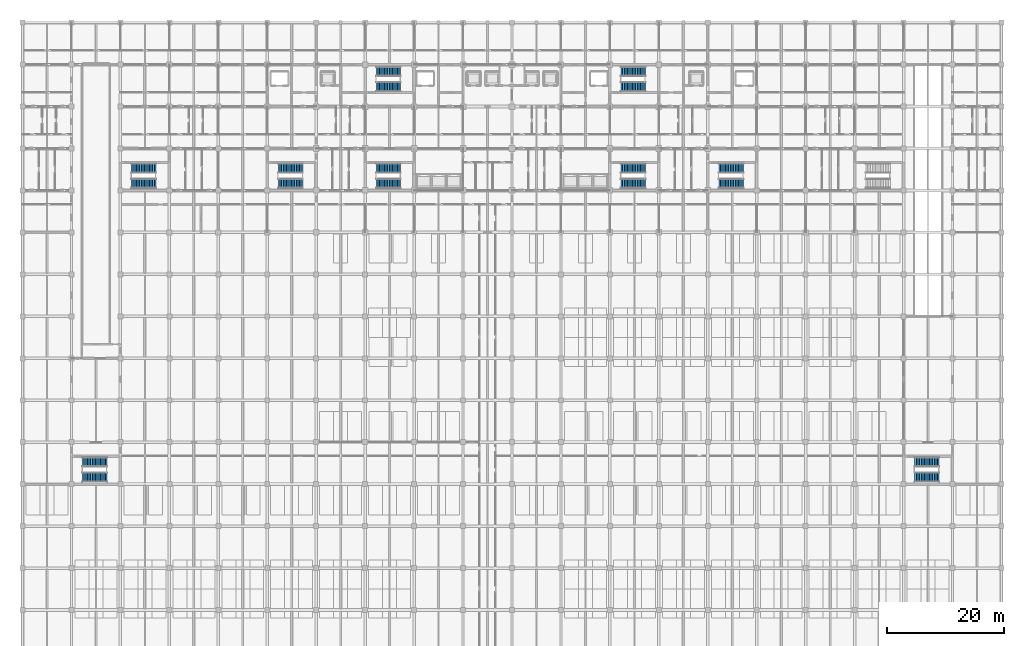
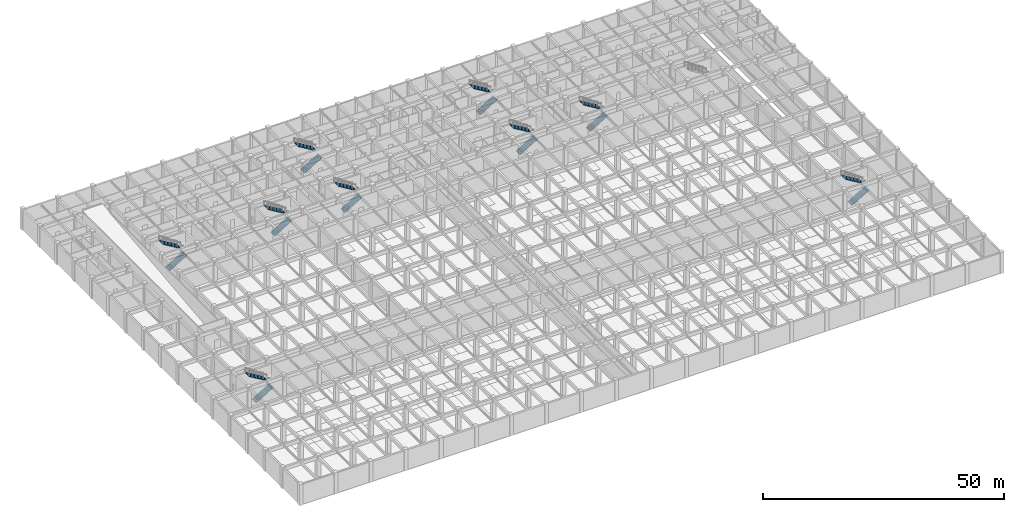
# One storey, part 39 of 48: 18 stair flights, 9 elements without a shape of their own.
"""IFC4 building model written with IfcOpenShell, lengths in metres."""

from ifc_helpers import new_model, si_unit, direction, frame, origin, place, context, subcontext, project, spatial, polyline, outline, extrude, material, type_object, element, aggregate, save


model = new_model("IFC4")

# Units and contexts
model_context = context("Model", 3, precision=1e-05, world=origin(), true_north=direction((0.0, 1.0)))
body_context = subcontext(model_context, "Body", "Model", "MODEL_VIEW")
ifc_project = project(units=[si_unit("LENGTHUNIT", "METRE"), si_unit("AREAUNIT", "SQUARE_METRE"), si_unit("VOLUMEUNIT", "CUBIC_METRE"), si_unit("PLANEANGLEUNIT", "RADIAN"), si_unit("MASSUNIT", "GRAM", prefix="KILO")], contexts=[model_context])

# Site, building, storey
site_placement = place(None, origin())
site = spatial("IfcSite", under=ifc_project, at=site_placement, CompositionType="ELEMENT")
building_placement = place(site_placement, origin())
building = spatial("IfcBuilding", under=site, at=building_placement, Name="Chengyuan Square Courthouse", CompositionType="ELEMENT")
storey_placement = place(building_placement, frame((0.0, 0.0, -5.39990234375)))
storey = spatial("IfcBuildingStorey", under=building, at=storey_placement, Name="B01", CompositionType="ELEMENT", Elevation=-5.39990234375)

# Stair, stair flights
ifc_material = material(Name="Concrete C40", Category="concrete")
stair_type_1 = type_object("IfcStairType", Name="ST-TYPE-01", PredefinedType="HALF_TURN_STAIR", material=ifc_material)
stair_1_placement = place(storey_placement, origin())
stair_1 = element("IfcStair", 1, at=stair_1_placement, inside=storey, type_object=stair_type_1, Name="Smoke-Proof Exit Stair ST-1 (B01 to L01)", PredefinedType="HALF_TURN_STAIR")
stair_flight_type_1 = type_object("IfcStairFlightType", Name="STF-TYPE-01", PredefinedType="STRAIGHT", material=ifc_material)
stair_flight_1_placement = place(storey_placement, frame((60.7099609375, 104.175048828125, 0.0), z_axis=(0.0, 0.0, 1.0), x_axis=(1.0, 0.0, 0.0)))
stair_flight_1 = element("IfcStairFlight", 2, at=stair_flight_1_placement, type_object=stair_flight_type_1, Name="ST-1 flight 1", NumberOfRisers=16, NumberOfTreads=15, PredefinedType="STRAIGHT", RiserHeight=0.16875, TreadLength=0.28, context=body_context, shape_type="SweptSolid", body=[
    extrude(outline(polyline([(0.0, 0.0), (0.0, 0.168701171875), (0.280029296875, 0.168701171875), (0.280029296875, 0.33740234375), (0.56005859375, 0.33740234375), (0.56005859375, 0.50634765625), (0.840087890625, 0.50634765625), (0.840087890625, 0.675048828125), (1.1201171875, 0.675048828125), (1.1201171875, 0.84375), (1.39990234375, 0.84375), (1.39990234375, 1.012451171875), (1.679931640625, 1.012451171875), (1.679931640625, 1.18115234375), (1.9599609375, 1.18115234375), (1.9599609375, 1.35009765625), (2.239990234375, 1.35009765625), (2.239990234375, 1.518798828125), (2.52001953125, 1.518798828125), (2.52001953125, 1.6875), (2.800048828125, 1.6875), (2.800048828125, 1.856201171875), (3.080078125, 1.856201171875), (3.080078125, 2.02490234375), (3.360107421875, 2.02490234375), (3.360107421875, 2.19384765625), (3.639892578125, 2.19384765625), (3.639892578125, 2.362548828125), (3.919921875, 2.362548828125), (3.919921875, 2.53125), (4.199951171875, 2.53125), (4.199951171875, 2.699951171875), (4.199951171875, 2.356201171875), (0.29052734375, 0.0), (0.0, 0.0)])), frame((0.0, 0.824951171875, 0.0), z_axis=(0.0, -1.0, 0.0), x_axis=(1.0, 0.0, 0.0)), (0.0, 0.0, 1.0), 1.64990234375),
])
stair_flight_2_placement = place(storey_placement, frame((64.909912109375, 106.824951171875, 2.699951171875), z_axis=(0.0, 0.0, 1.0), x_axis=(-1.0, 0.0, 0.0)))
stair_flight_2 = element("IfcStairFlight", 3, at=stair_flight_2_placement, type_object=stair_flight_type_1, Name="ST-1 flight 2", NumberOfRisers=16, NumberOfTreads=15, PredefinedType="STRAIGHT", RiserHeight=0.16875, TreadLength=0.28, context=body_context, shape_type="SweptSolid", body=[
    extrude(outline(polyline([(0.0, 0.0), (0.0, 0.168701171875), (0.280029296875, 0.168701171875), (0.280029296875, 0.33740234375), (0.56005859375, 0.33740234375), (0.56005859375, 0.50634765625), (0.840087890625, 0.50634765625), (0.840087890625, 0.675048828125), (1.1201171875, 0.675048828125), (1.1201171875, 0.84375), (1.39990234375, 0.84375), (1.39990234375, 1.012451171875), (1.679931640625, 1.012451171875), (1.679931640625, 1.18115234375), (1.9599609375, 1.18115234375), (1.9599609375, 1.35009765625), (2.239990234375, 1.35009765625), (2.239990234375, 1.518798828125), (2.52001953125, 1.518798828125), (2.52001953125, 1.6875), (2.800048828125, 1.6875), (2.800048828125, 1.856201171875), (3.080078125, 1.856201171875), (3.080078125, 2.02490234375), (3.360107421875, 2.02490234375), (3.360107421875, 2.19384765625), (3.639892578125, 2.19384765625), (3.639892578125, 2.362548828125), (3.919921875, 2.362548828125), (3.919921875, 2.53125), (4.199951171875, 2.53125), (4.199951171875, 2.699951171875), (4.199951171875, 2.356201171875), (0.29052734375, 0.0), (0.0, 0.0)])), frame((0.0, 0.824951171875, 0.0), z_axis=(0.0, -1.0, 0.0), x_axis=(1.0, 0.0, 0.0)), (0.0, 0.0, 1.0), 1.64990234375),
])
aggregate(stair_1, [stair_flight_1, stair_flight_2])

stair_type_2 = type_object("IfcStairType", Name="ST-TYPE-02", PredefinedType="HALF_TURN_STAIR", material=ifc_material)
stair_2_placement = place(storey_placement, origin())
stair_2 = element("IfcStair", 4, at=stair_2_placement, inside=storey, type_object=stair_type_2, Name="Smoke-Proof Exit Stair ST-2 (B01 to L01)", PredefinedType="HALF_TURN_STAIR")
stair_flight_type_2 = type_object("IfcStairFlightType", Name="STF-TYPE-02", PredefinedType="STRAIGHT", material=ifc_material)
stair_flight_3_placement = place(storey_placement, frame((102.7099609375, 104.175048828125, 0.0), z_axis=(0.0, 0.0, 1.0), x_axis=(1.0, 0.0, 0.0)))
stair_flight_3 = element("IfcStairFlight", 5, at=stair_flight_3_placement, type_object=stair_flight_type_2, Name="ST-2 flight 1", NumberOfRisers=16, NumberOfTreads=15, PredefinedType="STRAIGHT", RiserHeight=0.16875, TreadLength=0.28, context=body_context, shape_type="SweptSolid", body=[
    extrude(outline(polyline([(0.0, 0.0), (0.0, 0.168701171875), (0.280029296875, 0.168701171875), (0.280029296875, 0.33740234375), (0.56005859375, 0.33740234375), (0.56005859375, 0.50634765625), (0.840087890625, 0.50634765625), (0.840087890625, 0.675048828125), (1.1201171875, 0.675048828125), (1.1201171875, 0.84375), (1.39990234375, 0.84375), (1.39990234375, 1.012451171875), (1.679931640625, 1.012451171875), (1.679931640625, 1.18115234375), (1.9599609375, 1.18115234375), (1.9599609375, 1.35009765625), (2.239990234375, 1.35009765625), (2.239990234375, 1.518798828125), (2.52001953125, 1.518798828125), (2.52001953125, 1.6875), (2.800048828125, 1.6875), (2.800048828125, 1.856201171875), (3.080078125, 1.856201171875), (3.080078125, 2.02490234375), (3.360107421875, 2.02490234375), (3.360107421875, 2.19384765625), (3.639892578125, 2.19384765625), (3.639892578125, 2.362548828125), (3.919921875, 2.362548828125), (3.919921875, 2.53125), (4.199951171875, 2.53125), (4.199951171875, 2.699951171875), (4.199951171875, 2.356201171875), (0.29052734375, 0.0), (0.0, 0.0)])), frame((0.0, 0.824951171875, 0.0), z_axis=(0.0, -1.0, 0.0), x_axis=(1.0, 0.0, 0.0)), (0.0, 0.0, 1.0), 1.64990234375),
])
stair_flight_4_placement = place(storey_placement, frame((106.909912109375, 106.824951171875, 2.699951171875), z_axis=(0.0, 0.0, 1.0), x_axis=(-1.0, 0.0, 0.0)))
stair_flight_4 = element("IfcStairFlight", 6, at=stair_flight_4_placement, type_object=stair_flight_type_2, Name="ST-2 flight 2", NumberOfRisers=16, NumberOfTreads=15, PredefinedType="STRAIGHT", RiserHeight=0.16875, TreadLength=0.28, context=body_context, shape_type="SweptSolid", body=[
    extrude(outline(polyline([(0.0, 0.0), (0.0, 0.168701171875), (0.280029296875, 0.168701171875), (0.280029296875, 0.33740234375), (0.56005859375, 0.33740234375), (0.56005859375, 0.50634765625), (0.840087890625, 0.50634765625), (0.840087890625, 0.675048828125), (1.1201171875, 0.675048828125), (1.1201171875, 0.84375), (1.39990234375, 0.84375), (1.39990234375, 1.012451171875), (1.679931640625, 1.012451171875), (1.679931640625, 1.18115234375), (1.9599609375, 1.18115234375), (1.9599609375, 1.35009765625), (2.239990234375, 1.35009765625), (2.239990234375, 1.518798828125), (2.52001953125, 1.518798828125), (2.52001953125, 1.6875), (2.800048828125, 1.6875), (2.800048828125, 1.856201171875), (3.080078125, 1.856201171875), (3.080078125, 2.02490234375), (3.360107421875, 2.02490234375), (3.360107421875, 2.19384765625), (3.639892578125, 2.19384765625), (3.639892578125, 2.362548828125), (3.919921875, 2.362548828125), (3.919921875, 2.53125), (4.199951171875, 2.53125), (4.199951171875, 2.699951171875), (4.199951171875, 2.356201171875), (0.29052734375, 0.0), (0.0, 0.0)])), frame((0.0, 0.824951171875, 0.0), z_axis=(0.0, -1.0, 0.0), x_axis=(1.0, 0.0, 0.0)), (0.0, 0.0, 1.0), 1.64990234375),
])
aggregate(stair_2, [stair_flight_3, stair_flight_4])

stair_type_3 = type_object("IfcStairType", Name="ST-TYPE-03", PredefinedType="HALF_TURN_STAIR", material=ifc_material)
stair_3_placement = place(storey_placement, origin())
stair_3 = element("IfcStair", 7, at=stair_3_placement, inside=storey, type_object=stair_type_3, Name="Smoke-Proof Exit Stair ST-3 (B01 to L01)", PredefinedType="HALF_TURN_STAIR")
stair_flight_type_3 = type_object("IfcStairFlightType", Name="STF-TYPE-03", PredefinedType="STRAIGHT", material=ifc_material)
stair_flight_5_placement = place(storey_placement, frame((60.7099609375, 87.574951171875, 0.0), z_axis=(0.0, 0.0, 1.0), x_axis=(1.0, 0.0, 0.0)))
stair_flight_5 = element("IfcStairFlight", 8, at=stair_flight_5_placement, type_object=stair_flight_type_3, Name="ST-3 flight 1", NumberOfRisers=16, NumberOfTreads=15, PredefinedType="STRAIGHT", RiserHeight=0.16875, TreadLength=0.28, context=body_context, shape_type="SweptSolid", body=[
    extrude(outline(polyline([(0.0, 0.0), (0.0, 0.168701171875), (0.280029296875, 0.168701171875), (0.280029296875, 0.33740234375), (0.56005859375, 0.33740234375), (0.56005859375, 0.50634765625), (0.840087890625, 0.50634765625), (0.840087890625, 0.675048828125), (1.1201171875, 0.675048828125), (1.1201171875, 0.84375), (1.39990234375, 0.84375), (1.39990234375, 1.012451171875), (1.679931640625, 1.012451171875), (1.679931640625, 1.18115234375), (1.9599609375, 1.18115234375), (1.9599609375, 1.35009765625), (2.239990234375, 1.35009765625), (2.239990234375, 1.518798828125), (2.52001953125, 1.518798828125), (2.52001953125, 1.6875), (2.800048828125, 1.6875), (2.800048828125, 1.856201171875), (3.080078125, 1.856201171875), (3.080078125, 2.02490234375), (3.360107421875, 2.02490234375), (3.360107421875, 2.19384765625), (3.639892578125, 2.19384765625), (3.639892578125, 2.362548828125), (3.919921875, 2.362548828125), (3.919921875, 2.53125), (4.199951171875, 2.53125), (4.199951171875, 2.699951171875), (4.199951171875, 2.356201171875), (0.29052734375, 0.0), (0.0, 0.0)])), frame((0.0, 0.824951171875, 0.0), z_axis=(0.0, -1.0, 0.0), x_axis=(1.0, 0.0, 0.0)), (0.0, 0.0, 1.0), 1.64990234375),
])
stair_flight_6_placement = place(storey_placement, frame((64.909912109375, 90.22509765625, 2.699951171875), z_axis=(0.0, 0.0, 1.0), x_axis=(-1.0, 0.0, 0.0)))
stair_flight_6 = element("IfcStairFlight", 9, at=stair_flight_6_placement, type_object=stair_flight_type_3, Name="ST-3 flight 2", NumberOfRisers=16, NumberOfTreads=15, PredefinedType="STRAIGHT", RiserHeight=0.16875, TreadLength=0.28, context=body_context, shape_type="SweptSolid", body=[
    extrude(outline(polyline([(0.0, 0.0), (0.0, 0.168701171875), (0.280029296875, 0.168701171875), (0.280029296875, 0.33740234375), (0.56005859375, 0.33740234375), (0.56005859375, 0.50634765625), (0.840087890625, 0.50634765625), (0.840087890625, 0.675048828125), (1.1201171875, 0.675048828125), (1.1201171875, 0.84375), (1.39990234375, 0.84375), (1.39990234375, 1.012451171875), (1.679931640625, 1.012451171875), (1.679931640625, 1.18115234375), (1.9599609375, 1.18115234375), (1.9599609375, 1.35009765625), (2.239990234375, 1.35009765625), (2.239990234375, 1.518798828125), (2.52001953125, 1.518798828125), (2.52001953125, 1.6875), (2.800048828125, 1.6875), (2.800048828125, 1.856201171875), (3.080078125, 1.856201171875), (3.080078125, 2.02490234375), (3.360107421875, 2.02490234375), (3.360107421875, 2.19384765625), (3.639892578125, 2.19384765625), (3.639892578125, 2.362548828125), (3.919921875, 2.362548828125), (3.919921875, 2.53125), (4.199951171875, 2.53125), (4.199951171875, 2.699951171875), (4.199951171875, 2.356201171875), (0.29052734375, 0.0), (0.0, 0.0)])), frame((0.0, 0.824951171875, 0.0), z_axis=(0.0, -1.0, 0.0), x_axis=(1.0, 0.0, 0.0)), (0.0, 0.0, 1.0), 1.64990234375),
])
aggregate(stair_3, [stair_flight_5, stair_flight_6])

stair_type_4 = type_object("IfcStairType", Name="ST-TYPE-04", PredefinedType="HALF_TURN_STAIR", material=ifc_material)
stair_4_placement = place(storey_placement, origin())
stair_4 = element("IfcStair", 10, at=stair_4_placement, inside=storey, type_object=stair_type_4, Name="Smoke-Proof Exit Stair ST-4 (B01 to L01)", PredefinedType="HALF_TURN_STAIR")
stair_flight_type_4 = type_object("IfcStairFlightType", Name="STF-TYPE-04", PredefinedType="STRAIGHT", material=ifc_material)
stair_flight_7_placement = place(storey_placement, frame((102.7099609375, 87.574951171875, 0.0), z_axis=(0.0, 0.0, 1.0), x_axis=(1.0, 0.0, 0.0)))
stair_flight_7 = element("IfcStairFlight", 11, at=stair_flight_7_placement, type_object=stair_flight_type_4, Name="ST-4 flight 1", NumberOfRisers=16, NumberOfTreads=15, PredefinedType="STRAIGHT", RiserHeight=0.16875, TreadLength=0.28, context=body_context, shape_type="SweptSolid", body=[
    extrude(outline(polyline([(0.0, 0.0), (0.0, 0.168701171875), (0.280029296875, 0.168701171875), (0.280029296875, 0.33740234375), (0.56005859375, 0.33740234375), (0.56005859375, 0.50634765625), (0.840087890625, 0.50634765625), (0.840087890625, 0.675048828125), (1.1201171875, 0.675048828125), (1.1201171875, 0.84375), (1.39990234375, 0.84375), (1.39990234375, 1.012451171875), (1.679931640625, 1.012451171875), (1.679931640625, 1.18115234375), (1.9599609375, 1.18115234375), (1.9599609375, 1.35009765625), (2.239990234375, 1.35009765625), (2.239990234375, 1.518798828125), (2.52001953125, 1.518798828125), (2.52001953125, 1.6875), (2.800048828125, 1.6875), (2.800048828125, 1.856201171875), (3.080078125, 1.856201171875), (3.080078125, 2.02490234375), (3.360107421875, 2.02490234375), (3.360107421875, 2.19384765625), (3.639892578125, 2.19384765625), (3.639892578125, 2.362548828125), (3.919921875, 2.362548828125), (3.919921875, 2.53125), (4.199951171875, 2.53125), (4.199951171875, 2.699951171875), (4.199951171875, 2.356201171875), (0.29052734375, 0.0), (0.0, 0.0)])), frame((0.0, 0.824951171875, 0.0), z_axis=(0.0, -1.0, 0.0), x_axis=(1.0, 0.0, 0.0)), (0.0, 0.0, 1.0), 1.64990234375),
])
stair_flight_8_placement = place(storey_placement, frame((106.909912109375, 90.22509765625, 2.699951171875), z_axis=(0.0, 0.0, 1.0), x_axis=(-1.0, 0.0, 0.0)))
stair_flight_8 = element("IfcStairFlight", 12, at=stair_flight_8_placement, type_object=stair_flight_type_4, Name="ST-4 flight 2", NumberOfRisers=16, NumberOfTreads=15, PredefinedType="STRAIGHT", RiserHeight=0.16875, TreadLength=0.28, context=body_context, shape_type="SweptSolid", body=[
    extrude(outline(polyline([(0.0, 0.0), (0.0, 0.168701171875), (0.280029296875, 0.168701171875), (0.280029296875, 0.33740234375), (0.56005859375, 0.33740234375), (0.56005859375, 0.50634765625), (0.840087890625, 0.50634765625), (0.840087890625, 0.675048828125), (1.1201171875, 0.675048828125), (1.1201171875, 0.84375), (1.39990234375, 0.84375), (1.39990234375, 1.012451171875), (1.679931640625, 1.012451171875), (1.679931640625, 1.18115234375), (1.9599609375, 1.18115234375), (1.9599609375, 1.35009765625), (2.239990234375, 1.35009765625), (2.239990234375, 1.518798828125), (2.52001953125, 1.518798828125), (2.52001953125, 1.6875), (2.800048828125, 1.6875), (2.800048828125, 1.856201171875), (3.080078125, 1.856201171875), (3.080078125, 2.02490234375), (3.360107421875, 2.02490234375), (3.360107421875, 2.19384765625), (3.639892578125, 2.19384765625), (3.639892578125, 2.362548828125), (3.919921875, 2.362548828125), (3.919921875, 2.53125), (4.199951171875, 2.53125), (4.199951171875, 2.699951171875), (4.199951171875, 2.356201171875), (0.29052734375, 0.0), (0.0, 0.0)])), frame((0.0, 0.824951171875, 0.0), z_axis=(0.0, -1.0, 0.0), x_axis=(1.0, 0.0, 0.0)), (0.0, 0.0, 1.0), 1.64990234375),
])
aggregate(stair_4, [stair_flight_7, stair_flight_8])

stair_type_5 = type_object("IfcStairType", Name="ST-TYPE-05", PredefinedType="HALF_TURN_STAIR", material=ifc_material)
stair_5_placement = place(storey_placement, origin())
stair_5 = element("IfcStair", 13, at=stair_5_placement, inside=storey, type_object=stair_type_5, Name="Smoke-Proof Exit Stair ST-5 (B01 to L01)", PredefinedType="HALF_TURN_STAIR")
stair_flight_type_5 = type_object("IfcStairFlightType", Name="STF-TYPE-05", PredefinedType="STRAIGHT", material=ifc_material)
stair_flight_9_placement = place(storey_placement, frame((43.909912109375, 87.574951171875, 0.0), z_axis=(0.0, 0.0, 1.0), x_axis=(1.0, 0.0, 0.0)))
stair_flight_9 = element("IfcStairFlight", 14, at=stair_flight_9_placement, type_object=stair_flight_type_5, Name="ST-5 flight 1", NumberOfRisers=16, NumberOfTreads=15, PredefinedType="STRAIGHT", RiserHeight=0.16875, TreadLength=0.28, context=body_context, shape_type="SweptSolid", body=[
    extrude(outline(polyline([(0.0, 0.0), (0.0, 0.168701171875), (0.280029296875, 0.168701171875), (0.280029296875, 0.33740234375), (0.56005859375, 0.33740234375), (0.56005859375, 0.50634765625), (0.840087890625, 0.50634765625), (0.840087890625, 0.675048828125), (1.1201171875, 0.675048828125), (1.1201171875, 0.84375), (1.39990234375, 0.84375), (1.39990234375, 1.012451171875), (1.679931640625, 1.012451171875), (1.679931640625, 1.18115234375), (1.9599609375, 1.18115234375), (1.9599609375, 1.35009765625), (2.239990234375, 1.35009765625), (2.239990234375, 1.518798828125), (2.52001953125, 1.518798828125), (2.52001953125, 1.6875), (2.800048828125, 1.6875), (2.800048828125, 1.856201171875), (3.080078125, 1.856201171875), (3.080078125, 2.02490234375), (3.360107421875, 2.02490234375), (3.360107421875, 2.19384765625), (3.639892578125, 2.19384765625), (3.639892578125, 2.362548828125), (3.919921875, 2.362548828125), (3.919921875, 2.53125), (4.199951171875, 2.53125), (4.199951171875, 2.699951171875), (4.199951171875, 2.356201171875), (0.29052734375, 0.0), (0.0, 0.0)])), frame((0.0, 0.824951171875, 0.0), z_axis=(0.0, -1.0, 0.0), x_axis=(1.0, 0.0, 0.0)), (0.0, 0.0, 1.0), 1.64990234375),
])
stair_flight_10_placement = place(storey_placement, frame((48.110107421875, 90.22509765625, 2.699951171875), z_axis=(0.0, 0.0, 1.0), x_axis=(-1.0, 0.0, 0.0)))
stair_flight_10 = element("IfcStairFlight", 15, at=stair_flight_10_placement, type_object=stair_flight_type_5, Name="ST-5 flight 2", NumberOfRisers=16, NumberOfTreads=15, PredefinedType="STRAIGHT", RiserHeight=0.16875, TreadLength=0.28, context=body_context, shape_type="SweptSolid", body=[
    extrude(outline(polyline([(0.0, 0.0), (0.0, 0.168701171875), (0.280029296875, 0.168701171875), (0.280029296875, 0.33740234375), (0.56005859375, 0.33740234375), (0.56005859375, 0.50634765625), (0.840087890625, 0.50634765625), (0.840087890625, 0.675048828125), (1.1201171875, 0.675048828125), (1.1201171875, 0.84375), (1.39990234375, 0.84375), (1.39990234375, 1.012451171875), (1.679931640625, 1.012451171875), (1.679931640625, 1.18115234375), (1.9599609375, 1.18115234375), (1.9599609375, 1.35009765625), (2.239990234375, 1.35009765625), (2.239990234375, 1.518798828125), (2.52001953125, 1.518798828125), (2.52001953125, 1.6875), (2.800048828125, 1.6875), (2.800048828125, 1.856201171875), (3.080078125, 1.856201171875), (3.080078125, 2.02490234375), (3.360107421875, 2.02490234375), (3.360107421875, 2.19384765625), (3.639892578125, 2.19384765625), (3.639892578125, 2.362548828125), (3.919921875, 2.362548828125), (3.919921875, 2.53125), (4.199951171875, 2.53125), (4.199951171875, 2.699951171875), (4.199951171875, 2.356201171875), (0.29052734375, 0.0), (0.0, 0.0)])), frame((0.0, 0.824951171875, 0.0), z_axis=(0.0, -1.0, 0.0), x_axis=(1.0, 0.0, 0.0)), (0.0, 0.0, 1.0), 1.64990234375),
])
aggregate(stair_5, [stair_flight_9, stair_flight_10])

stair_type_6 = type_object("IfcStairType", Name="ST-TYPE-06", PredefinedType="HALF_TURN_STAIR", material=ifc_material)
stair_6_placement = place(storey_placement, origin())
stair_6 = element("IfcStair", 16, at=stair_6_placement, inside=storey, type_object=stair_type_6, Name="Smoke-Proof Exit Stair ST-6 (B01 to L01)", PredefinedType="HALF_TURN_STAIR")
stair_flight_type_6 = type_object("IfcStairFlightType", Name="STF-TYPE-06", PredefinedType="STRAIGHT", material=ifc_material)
stair_flight_11_placement = place(storey_placement, frame((119.510009765625, 87.574951171875, 0.0), z_axis=(0.0, 0.0, 1.0), x_axis=(1.0, 0.0, 0.0)))
stair_flight_11 = element("IfcStairFlight", 17, at=stair_flight_11_placement, type_object=stair_flight_type_6, Name="ST-6 flight 1", NumberOfRisers=16, NumberOfTreads=15, PredefinedType="STRAIGHT", RiserHeight=0.16875, TreadLength=0.28, context=body_context, shape_type="SweptSolid", body=[
    extrude(outline(polyline([(0.0, 0.0), (0.0, 0.168701171875), (0.280029296875, 0.168701171875), (0.280029296875, 0.33740234375), (0.56005859375, 0.33740234375), (0.56005859375, 0.50634765625), (0.840087890625, 0.50634765625), (0.840087890625, 0.675048828125), (1.1201171875, 0.675048828125), (1.1201171875, 0.84375), (1.39990234375, 0.84375), (1.39990234375, 1.012451171875), (1.679931640625, 1.012451171875), (1.679931640625, 1.18115234375), (1.9599609375, 1.18115234375), (1.9599609375, 1.35009765625), (2.239990234375, 1.35009765625), (2.239990234375, 1.518798828125), (2.52001953125, 1.518798828125), (2.52001953125, 1.6875), (2.800048828125, 1.6875), (2.800048828125, 1.856201171875), (3.080078125, 1.856201171875), (3.080078125, 2.02490234375), (3.360107421875, 2.02490234375), (3.360107421875, 2.19384765625), (3.639892578125, 2.19384765625), (3.639892578125, 2.362548828125), (3.919921875, 2.362548828125), (3.919921875, 2.53125), (4.199951171875, 2.53125), (4.199951171875, 2.699951171875), (4.199951171875, 2.356201171875), (0.29052734375, 0.0), (0.0, 0.0)])), frame((0.0, 0.824951171875, 0.0), z_axis=(0.0, -1.0, 0.0), x_axis=(1.0, 0.0, 0.0)), (0.0, 0.0, 1.0), 1.64990234375),
])
stair_flight_12_placement = place(storey_placement, frame((123.7099609375, 90.22509765625, 2.699951171875), z_axis=(0.0, 0.0, 1.0), x_axis=(-1.0, 0.0, 0.0)))
stair_flight_12 = element("IfcStairFlight", 18, at=stair_flight_12_placement, type_object=stair_flight_type_6, Name="ST-6 flight 2", NumberOfRisers=16, NumberOfTreads=15, PredefinedType="STRAIGHT", RiserHeight=0.16875, TreadLength=0.28, context=body_context, shape_type="SweptSolid", body=[
    extrude(outline(polyline([(0.0, 0.0), (0.0, 0.168701171875), (0.280029296875, 0.168701171875), (0.280029296875, 0.33740234375), (0.56005859375, 0.33740234375), (0.56005859375, 0.50634765625), (0.840087890625, 0.50634765625), (0.840087890625, 0.675048828125), (1.1201171875, 0.675048828125), (1.1201171875, 0.84375), (1.39990234375, 0.84375), (1.39990234375, 1.012451171875), (1.679931640625, 1.012451171875), (1.679931640625, 1.18115234375), (1.9599609375, 1.18115234375), (1.9599609375, 1.35009765625), (2.239990234375, 1.35009765625), (2.239990234375, 1.518798828125), (2.52001953125, 1.518798828125), (2.52001953125, 1.6875), (2.800048828125, 1.6875), (2.800048828125, 1.856201171875), (3.080078125, 1.856201171875), (3.080078125, 2.02490234375), (3.360107421875, 2.02490234375), (3.360107421875, 2.19384765625), (3.639892578125, 2.19384765625), (3.639892578125, 2.362548828125), (3.919921875, 2.362548828125), (3.919921875, 2.53125), (4.199951171875, 2.53125), (4.199951171875, 2.699951171875), (4.199951171875, 2.356201171875), (0.29052734375, 0.0), (0.0, 0.0)])), frame((0.0, 0.824951171875, 0.0), z_axis=(0.0, -1.0, 0.0), x_axis=(1.0, 0.0, 0.0)), (0.0, 0.0, 1.0), 1.64990234375),
])
aggregate(stair_6, [stair_flight_11, stair_flight_12])

stair_type_7 = type_object("IfcStairType", Name="ST-TYPE-07", PredefinedType="HALF_TURN_STAIR", material=ifc_material)
stair_7_placement = place(storey_placement, origin())
stair_7 = element("IfcStair", 19, at=stair_7_placement, inside=storey, type_object=stair_type_7, Name="Smoke-Proof Exit Stair ST-7 (B01 to L01)", PredefinedType="HALF_TURN_STAIR")
stair_flight_type_7 = type_object("IfcStairFlightType", Name="STF-TYPE-07", PredefinedType="STRAIGHT", material=ifc_material)
stair_flight_13_placement = place(storey_placement, frame((10.31005859375, 37.175048828125, 0.0), z_axis=(0.0, 0.0, 1.0), x_axis=(1.0, 0.0, 0.0)))
stair_flight_13 = element("IfcStairFlight", 20, at=stair_flight_13_placement, type_object=stair_flight_type_7, Name="ST-7 flight 1", NumberOfRisers=16, NumberOfTreads=15, PredefinedType="STRAIGHT", RiserHeight=0.16875, TreadLength=0.28, context=body_context, shape_type="SweptSolid", body=[
    extrude(outline(polyline([(0.0, 0.0), (0.0, 0.168701171875), (0.280029296875, 0.168701171875), (0.280029296875, 0.33740234375), (0.56005859375, 0.33740234375), (0.56005859375, 0.50634765625), (0.840087890625, 0.50634765625), (0.840087890625, 0.675048828125), (1.1201171875, 0.675048828125), (1.1201171875, 0.84375), (1.39990234375, 0.84375), (1.39990234375, 1.012451171875), (1.679931640625, 1.012451171875), (1.679931640625, 1.18115234375), (1.9599609375, 1.18115234375), (1.9599609375, 1.35009765625), (2.239990234375, 1.35009765625), (2.239990234375, 1.518798828125), (2.52001953125, 1.518798828125), (2.52001953125, 1.6875), (2.800048828125, 1.6875), (2.800048828125, 1.856201171875), (3.080078125, 1.856201171875), (3.080078125, 2.02490234375), (3.360107421875, 2.02490234375), (3.360107421875, 2.19384765625), (3.639892578125, 2.19384765625), (3.639892578125, 2.362548828125), (3.919921875, 2.362548828125), (3.919921875, 2.53125), (4.199951171875, 2.53125), (4.199951171875, 2.699951171875), (4.199951171875, 2.356201171875), (0.29052734375, 0.0), (0.0, 0.0)])), frame((0.0, 0.824951171875, 0.0), z_axis=(0.0, -1.0, 0.0), x_axis=(1.0, 0.0, 0.0)), (0.0, 0.0, 1.0), 1.64990234375),
])
stair_flight_14_placement = place(storey_placement, frame((14.510009765625, 39.824951171875, 2.699951171875), z_axis=(0.0, 0.0, 1.0), x_axis=(-1.0, 0.0, 0.0)))
stair_flight_14 = element("IfcStairFlight", 21, at=stair_flight_14_placement, type_object=stair_flight_type_7, Name="ST-7 flight 2", NumberOfRisers=16, NumberOfTreads=15, PredefinedType="STRAIGHT", RiserHeight=0.16875, TreadLength=0.28, context=body_context, shape_type="SweptSolid", body=[
    extrude(outline(polyline([(0.0, 0.0), (0.0, 0.168701171875), (0.280029296875, 0.168701171875), (0.280029296875, 0.33740234375), (0.56005859375, 0.33740234375), (0.56005859375, 0.50634765625), (0.840087890625, 0.50634765625), (0.840087890625, 0.675048828125), (1.1201171875, 0.675048828125), (1.1201171875, 0.84375), (1.39990234375, 0.84375), (1.39990234375, 1.012451171875), (1.679931640625, 1.012451171875), (1.679931640625, 1.18115234375), (1.9599609375, 1.18115234375), (1.9599609375, 1.35009765625), (2.239990234375, 1.35009765625), (2.239990234375, 1.518798828125), (2.52001953125, 1.518798828125), (2.52001953125, 1.6875), (2.800048828125, 1.6875), (2.800048828125, 1.856201171875), (3.080078125, 1.856201171875), (3.080078125, 2.02490234375), (3.360107421875, 2.02490234375), (3.360107421875, 2.19384765625), (3.639892578125, 2.19384765625), (3.639892578125, 2.362548828125), (3.919921875, 2.362548828125), (3.919921875, 2.53125), (4.199951171875, 2.53125), (4.199951171875, 2.699951171875), (4.199951171875, 2.356201171875), (0.29052734375, 0.0), (0.0, 0.0)])), frame((0.0, 0.824951171875, 0.0), z_axis=(0.0, -1.0, 0.0), x_axis=(1.0, 0.0, 0.0)), (0.0, 0.0, 1.0), 1.64990234375),
])
aggregate(stair_7, [stair_flight_13, stair_flight_14])

stair_type_8 = type_object("IfcStairType", Name="ST-TYPE-08", PredefinedType="HALF_TURN_STAIR", material=ifc_material)
stair_8_placement = place(storey_placement, origin())
stair_8 = element("IfcStair", 22, at=stair_8_placement, inside=storey, type_object=stair_type_8, Name="Smoke-Proof Exit Stair ST-8 (B01 to L01)", PredefinedType="HALF_TURN_STAIR")
stair_flight_type_8 = type_object("IfcStairFlightType", Name="STF-TYPE-08", PredefinedType="STRAIGHT", material=ifc_material)
stair_flight_15_placement = place(storey_placement, frame((153.110107421875, 37.175048828125, 0.0), z_axis=(0.0, 0.0, 1.0), x_axis=(1.0, 0.0, 0.0)))
stair_flight_15 = element("IfcStairFlight", 23, at=stair_flight_15_placement, type_object=stair_flight_type_8, Name="ST-8 flight 1", NumberOfRisers=16, NumberOfTreads=15, PredefinedType="STRAIGHT", RiserHeight=0.16875, TreadLength=0.28, context=body_context, shape_type="SweptSolid", body=[
    extrude(outline(polyline([(0.0, 0.0), (0.0, 0.168701171875), (0.280029296875, 0.168701171875), (0.280029296875, 0.33740234375), (0.56005859375, 0.33740234375), (0.56005859375, 0.50634765625), (0.840087890625, 0.50634765625), (0.840087890625, 0.675048828125), (1.1201171875, 0.675048828125), (1.1201171875, 0.84375), (1.39990234375, 0.84375), (1.39990234375, 1.012451171875), (1.679931640625, 1.012451171875), (1.679931640625, 1.18115234375), (1.9599609375, 1.18115234375), (1.9599609375, 1.35009765625), (2.239990234375, 1.35009765625), (2.239990234375, 1.518798828125), (2.52001953125, 1.518798828125), (2.52001953125, 1.6875), (2.800048828125, 1.6875), (2.800048828125, 1.856201171875), (3.080078125, 1.856201171875), (3.080078125, 2.02490234375), (3.360107421875, 2.02490234375), (3.360107421875, 2.19384765625), (3.639892578125, 2.19384765625), (3.639892578125, 2.362548828125), (3.919921875, 2.362548828125), (3.919921875, 2.53125), (4.199951171875, 2.53125), (4.199951171875, 2.699951171875), (4.199951171875, 2.356201171875), (0.29052734375, 0.0), (0.0, 0.0)])), frame((0.0, 0.824951171875, 0.0), z_axis=(0.0, -1.0, 0.0), x_axis=(1.0, 0.0, 0.0)), (0.0, 0.0, 1.0), 1.64990234375),
])
stair_flight_16_placement = place(storey_placement, frame((157.31005859375, 39.824951171875, 2.699951171875), z_axis=(0.0, 0.0, 1.0), x_axis=(-1.0, 0.0, 0.0)))
stair_flight_16 = element("IfcStairFlight", 24, at=stair_flight_16_placement, type_object=stair_flight_type_8, Name="ST-8 flight 2", NumberOfRisers=16, NumberOfTreads=15, PredefinedType="STRAIGHT", RiserHeight=0.16875, TreadLength=0.28, context=body_context, shape_type="SweptSolid", body=[
    extrude(outline(polyline([(0.0, 0.0), (0.0, 0.168701171875), (0.280029296875, 0.168701171875), (0.280029296875, 0.33740234375), (0.56005859375, 0.33740234375), (0.56005859375, 0.50634765625), (0.840087890625, 0.50634765625), (0.840087890625, 0.675048828125), (1.1201171875, 0.675048828125), (1.1201171875, 0.84375), (1.39990234375, 0.84375), (1.39990234375, 1.012451171875), (1.679931640625, 1.012451171875), (1.679931640625, 1.18115234375), (1.9599609375, 1.18115234375), (1.9599609375, 1.35009765625), (2.239990234375, 1.35009765625), (2.239990234375, 1.518798828125), (2.52001953125, 1.518798828125), (2.52001953125, 1.6875), (2.800048828125, 1.6875), (2.800048828125, 1.856201171875), (3.080078125, 1.856201171875), (3.080078125, 2.02490234375), (3.360107421875, 2.02490234375), (3.360107421875, 2.19384765625), (3.639892578125, 2.19384765625), (3.639892578125, 2.362548828125), (3.919921875, 2.362548828125), (3.919921875, 2.53125), (4.199951171875, 2.53125), (4.199951171875, 2.699951171875), (4.199951171875, 2.356201171875), (0.29052734375, 0.0), (0.0, 0.0)])), frame((0.0, 0.824951171875, 0.0), z_axis=(0.0, -1.0, 0.0), x_axis=(1.0, 0.0, 0.0)), (0.0, 0.0, 1.0), 1.64990234375),
])
aggregate(stair_8, [stair_flight_15, stair_flight_16])

stair_type_9 = type_object("IfcStairType", Name="ST-TYPE-09", PredefinedType="HALF_TURN_STAIR", material=ifc_material)
stair_9_placement = place(storey_placement, origin())
stair_9 = element("IfcStair", 25, at=stair_9_placement, inside=storey, type_object=stair_type_9, Name="Smoke-Proof Exit Stair ST-9 (B01 to L01)", PredefinedType="HALF_TURN_STAIR")
stair_flight_type_9 = type_object("IfcStairFlightType", Name="STF-TYPE-09", PredefinedType="STRAIGHT", material=ifc_material)
stair_flight_17_placement = place(storey_placement, frame((18.7099609375, 87.574951171875, 0.0), z_axis=(0.0, 0.0, 1.0), x_axis=(1.0, 0.0, 0.0)))
stair_flight_17 = element("IfcStairFlight", 26, at=stair_flight_17_placement, type_object=stair_flight_type_9, Name="ST-9 flight 1", NumberOfRisers=16, NumberOfTreads=15, PredefinedType="STRAIGHT", RiserHeight=0.16875, TreadLength=0.28, context=body_context, shape_type="SweptSolid", body=[
    extrude(outline(polyline([(0.0, 0.0), (0.0, 0.168701171875), (0.280029296875, 0.168701171875), (0.280029296875, 0.33740234375), (0.56005859375, 0.33740234375), (0.56005859375, 0.50634765625), (0.840087890625, 0.50634765625), (0.840087890625, 0.675048828125), (1.1201171875, 0.675048828125), (1.1201171875, 0.84375), (1.39990234375, 0.84375), (1.39990234375, 1.012451171875), (1.679931640625, 1.012451171875), (1.679931640625, 1.18115234375), (1.9599609375, 1.18115234375), (1.9599609375, 1.35009765625), (2.239990234375, 1.35009765625), (2.239990234375, 1.518798828125), (2.52001953125, 1.518798828125), (2.52001953125, 1.6875), (2.800048828125, 1.6875), (2.800048828125, 1.856201171875), (3.080078125, 1.856201171875), (3.080078125, 2.02490234375), (3.360107421875, 2.02490234375), (3.360107421875, 2.19384765625), (3.639892578125, 2.19384765625), (3.639892578125, 2.362548828125), (3.919921875, 2.362548828125), (3.919921875, 2.53125), (4.199951171875, 2.53125), (4.199951171875, 2.699951171875), (4.199951171875, 2.356201171875), (0.29052734375, 0.0), (0.0, 0.0)])), frame((0.0, 0.824951171875, 0.0), z_axis=(0.0, -1.0, 0.0), x_axis=(1.0, 0.0, 0.0)), (0.0, 0.0, 1.0), 1.64990234375),
])
stair_flight_18_placement = place(storey_placement, frame((22.909912109375, 90.22509765625, 2.699951171875), z_axis=(0.0, 0.0, 1.0), x_axis=(-1.0, 0.0, 0.0)))
stair_flight_18 = element("IfcStairFlight", 27, at=stair_flight_18_placement, type_object=stair_flight_type_9, Name="ST-9 flight 2", NumberOfRisers=16, NumberOfTreads=15, PredefinedType="STRAIGHT", RiserHeight=0.16875, TreadLength=0.28, context=body_context, shape_type="SweptSolid", body=[
    extrude(outline(polyline([(0.0, 0.0), (0.0, 0.168701171875), (0.280029296875, 0.168701171875), (0.280029296875, 0.33740234375), (0.56005859375, 0.33740234375), (0.56005859375, 0.50634765625), (0.840087890625, 0.50634765625), (0.840087890625, 0.675048828125), (1.1201171875, 0.675048828125), (1.1201171875, 0.84375), (1.39990234375, 0.84375), (1.39990234375, 1.012451171875), (1.679931640625, 1.012451171875), (1.679931640625, 1.18115234375), (1.9599609375, 1.18115234375), (1.9599609375, 1.35009765625), (2.239990234375, 1.35009765625), (2.239990234375, 1.518798828125), (2.52001953125, 1.518798828125), (2.52001953125, 1.6875), (2.800048828125, 1.6875), (2.800048828125, 1.856201171875), (3.080078125, 1.856201171875), (3.080078125, 2.02490234375), (3.360107421875, 2.02490234375), (3.360107421875, 2.19384765625), (3.639892578125, 2.19384765625), (3.639892578125, 2.362548828125), (3.919921875, 2.362548828125), (3.919921875, 2.53125), (4.199951171875, 2.53125), (4.199951171875, 2.699951171875), (4.199951171875, 2.356201171875), (0.29052734375, 0.0), (0.0, 0.0)])), frame((0.0, 0.824951171875, 0.0), z_axis=(0.0, -1.0, 0.0), x_axis=(1.0, 0.0, 0.0)), (0.0, 0.0, 1.0), 1.64990234375),
])
aggregate(stair_9, [stair_flight_17, stair_flight_18])

save(model, "model.ifc")
